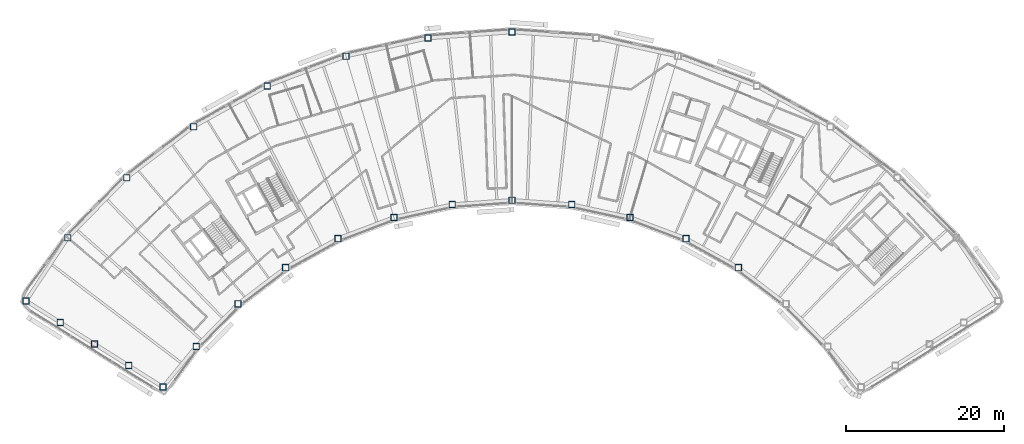
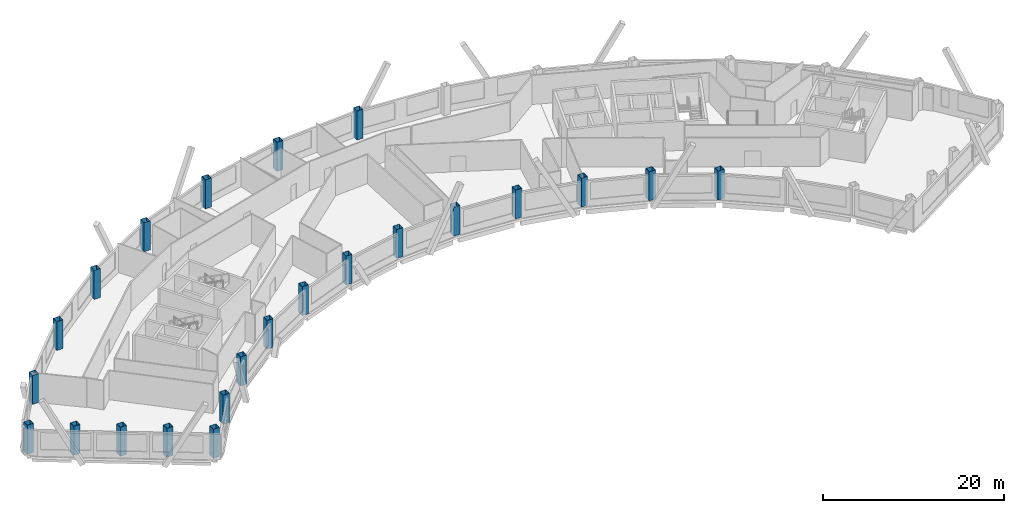
# One storey, part 1 of 12: 23 columns.
"""IFC4 building model written with IfcOpenShell, lengths in metres."""

from ifc_helpers import new_model, si_unit, direction, frame, origin, origin_2d, place, context, subcontext, project, spatial, hollow_rectangle, extrude, material, material_profile, profile_set, type_object, element, save


model = new_model("IFC4")

# Units and contexts
model_context = context("Model", 3, precision=1e-05, world=origin(), true_north=direction((0.0, 1.0)))
body_context = subcontext(model_context, "Body", "Model", "MODEL_VIEW")
ifc_project = project(units=[si_unit("LENGTHUNIT", "METRE"), si_unit("AREAUNIT", "SQUARE_METRE"), si_unit("VOLUMEUNIT", "CUBIC_METRE"), si_unit("PLANEANGLEUNIT", "RADIAN"), si_unit("MASSUNIT", "GRAM", prefix="KILO")], contexts=[model_context])

# Site, building, storey
site_placement = place(None, origin())
site = spatial("IfcSite", under=ifc_project, at=site_placement, CompositionType="ELEMENT")
building_placement = place(site_placement, origin())
building = spatial("IfcBuilding", under=site, at=building_placement, Name="Tuul Gate Civic Tower", CompositionType="ELEMENT")
storey_placement = place(building_placement, frame((0.0, 0.0, 328.10009765625)))
storey = spatial("IfcBuildingStorey", under=building, at=storey_placement, Name="Level 74", CompositionType="ELEMENT", Elevation=328.10009765625)

# Columns
ifc_material = material(Name="Steel S355", Category="steel")
ifc_material_profile = material_profile(ifc_material, hollow_rectangle(XDim=0.800048828125, YDim=0.800048828125, WallThickness=0.031982421875, at=origin_2d()), Name="BOX800x800x32")
ifc_profile_set = profile_set([ifc_material_profile], Name="Steel S355")
column_type = type_object("IfcColumnType", Name="STR-COLUMN-BOX800x800x32", PredefinedType="COLUMN", material=ifc_profile_set)
for number, where, z_axis, x_axis, name in (
    (1, (2.19189453125, 13.827880859375, 0.0), (0.0, 0.0, 1.0), (1.0, 0.0, 0.0), "Column"),
    (2, (-8.45703125, 13.055908203125, 0.0), (0.0, 0.0, 1.0), (1.0, 0.0, 0.0), "Column"),
    (3, (-18.885009765625, 10.758056640625, 0.0), (0.0, 0.0, 1.0), (1.0, 0.0, 0.0), "Column"),
    (4, (-28.8720703125, 6.98193359375, 0.0), (0.0, 0.0, 1.0), (1.0, 0.0, 0.0), "Column"),
    (5, (-38.2099609375, 1.804931640625, 0.0), (0.0, 0.0, 1.0), (1.0, 0.0, 0.0), "Column"),
    (6, (-46.7060546875, -4.6630859375, 0.0), (0.0, 0.0, 1.0), (1.0, 0.0, 0.0), "Column"),
    (7, (-54.179931640625, -12.2880859375, 0.0), (0.0, 0.0, 1.0), (1.0, 0.0, 0.0), "Column"),
    (8, (-59.47900390625, -20.300048828125, 0.0), (0.0, 0.0, 1.0), (1.0, 0.0, 0.0), "Column"),
    (9, (-55.135986328125, -23.034912109375, 0.0), (0.0, 0.0, 1.0), (1.0, 0.0, 0.0), "Column"),
    (10, (-50.7939453125, -25.77001953125, 0.0), (0.0, 0.0, 1.0), (1.0, 0.0, 0.0), "Column"),
    (11, (-46.450927734375, -28.50390625, 0.0), (0.0, 0.0, 1.0), (1.0, 0.0, 0.0), "Column"),
    (12, (-42.10888671875, -31.239013671875, 0.0), (0.0, 0.0, 1.0), (1.0, 0.0, 0.0), "Column"),
    (13, (-37.888916015625, -26.096923828125, 0.0), (0.0, 0.0, 1.0), (1.0, 0.0, 0.0), "Column"),
    (14, (-32.574951171875, -20.675048828125, 0.0), (0.0, 0.0, 1.0), (1.0, 0.0, 0.0), "Column"),
    (15, (-26.534912109375, -16.075927734375, 0.0), (0.0, 0.0, 1.0), (1.0, 0.0, 0.0), "Column"),
    (16, (-19.89501953125, -12.39599609375, 0.0), (0.0, 0.0, 1.0), (1.0, 0.0, 0.0), "Column"),
    (17, (-12.7939453125, -9.7099609375, 0.0), (0.0, 0.0, 1.0), (1.0, 0.0, 0.0), "Column"),
    (18, (-5.3798828125, -8.076904296875, 0.0), (0.0, 0.0, 1.0), (1.0, 0.0, 0.0), "Column"),
    (19, (2.19189453125, -7.528076171875, 0.0), (0.0, 0.0, 1.0), (1.0, 0.0, 0.0), "Column"),
    (20, (9.763916015625, -8.076904296875, 0.0), (0.0, 0.0, 1.0), (1.0, 0.0, 0.0), "Column"),
    (21, (17.177978515625, -9.7099609375, 0.0), (0.0, 0.0, 1.0), (1.0, 0.0, 0.0), "Column"),
    (22, (24.279052734375, -12.39599609375, 0.0), (0.0, 0.0, 1.0), (1.0, 0.0, 0.0), "Column"),
    (23, (30.9189453125, -16.075927734375, 0.0), (0.0, 0.0, 1.0), (1.0, 0.0, 0.0), "Column"),
):
    element("IfcColumn", number, at=place(storey_placement, frame(where, z_axis=z_axis, x_axis=x_axis)), inside=storey, type_object=column_type, Name=name, PredefinedType="COLUMN", context=body_context, shape_type="SweptSolid", body=[
        extrude(hollow_rectangle(XDim=0.800048828125, YDim=0.800048828125, WallThickness=0.031982421875, at=origin_2d()), origin(), (0.0, 0.0, 1.0), 3.89990234375),
    ])

save(model, "model.ifc")
